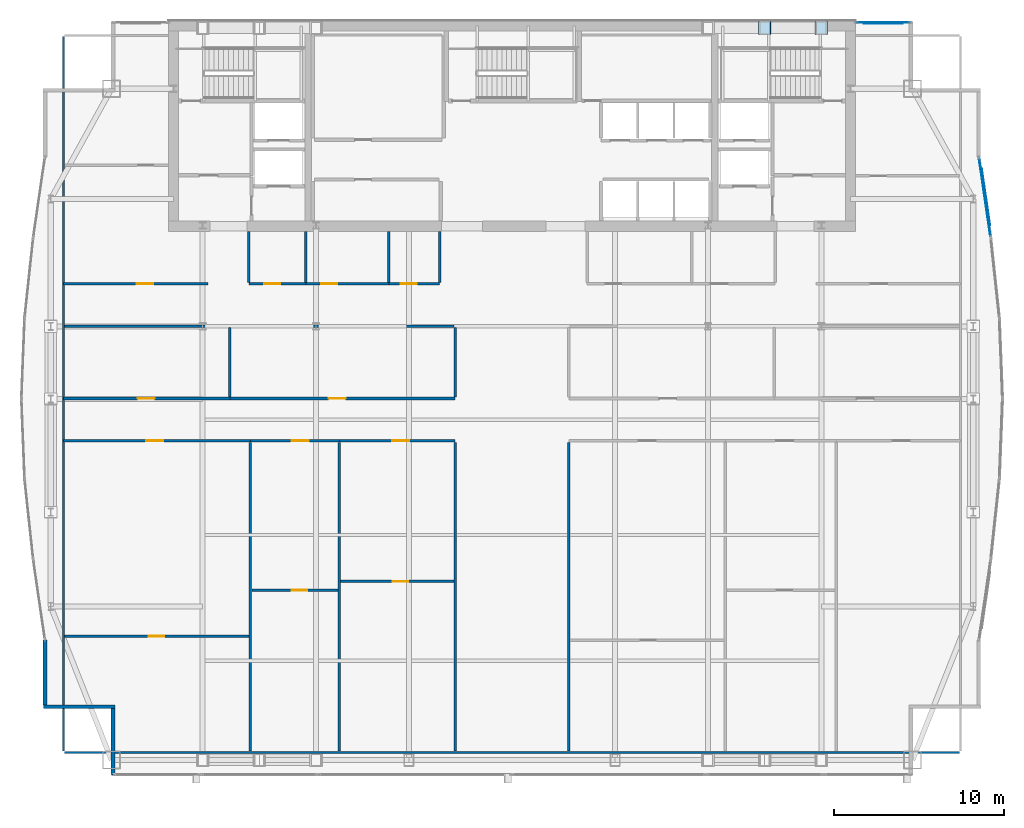
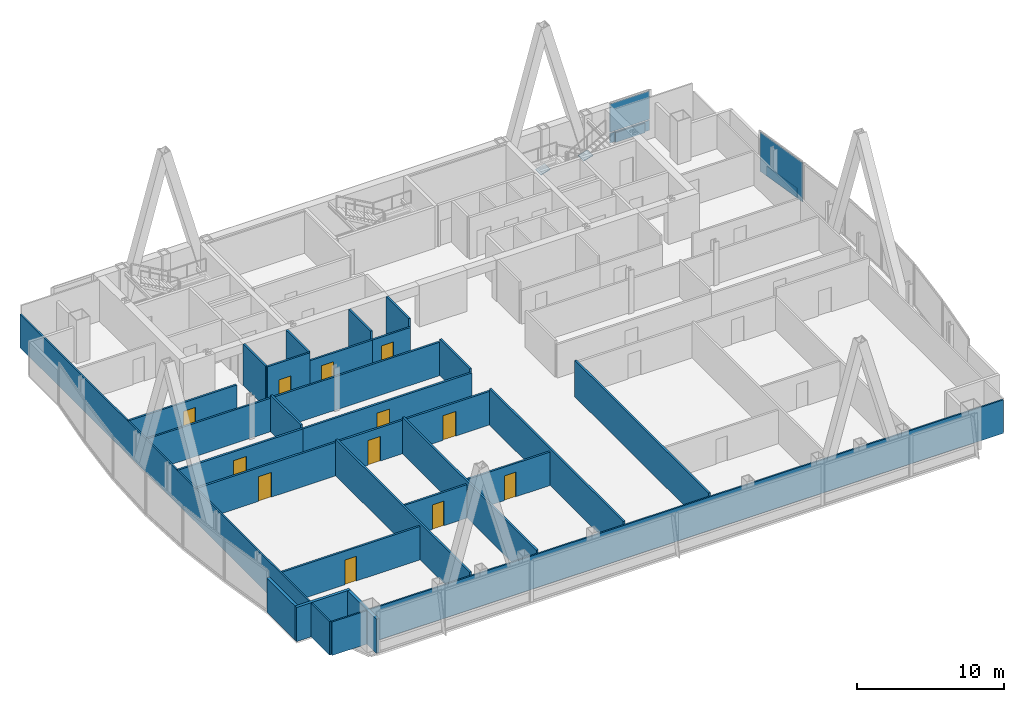
# One storey, part 26 of 31: 28 walls, 12 doors, 7 plates, 12 openings, 2 elements without a shape of their own.
"""IFC4 building model written with IfcOpenShell, lengths in metres."""

from ifc_helpers import new_model, si_unit, direction, frame, frame_2d, origin, origin_2d, place, context, subcontext, project, spatial, polyline, rectangle, outline, extrude, material, layer, layer_set, type_object, element, fill, aggregate, save


model = new_model("IFC4")

# Units and contexts
model_context = context("Model", 3, precision=1e-05, world=origin(), true_north=direction((0.0, 1.0)))
body_context = subcontext(model_context, "Body", "Model", "MODEL_VIEW")
ifc_project = project(units=[si_unit("LENGTHUNIT", "METRE"), si_unit("AREAUNIT", "SQUARE_METRE"), si_unit("VOLUMEUNIT", "CUBIC_METRE"), si_unit("PLANEANGLEUNIT", "RADIAN"), si_unit("MASSUNIT", "GRAM", prefix="KILO")], contexts=[model_context])

# Site, building, storey
site_placement = place(None, origin())
site = spatial("IfcSite", under=ifc_project, at=site_placement, CompositionType="ELEMENT")
building_placement = place(site_placement, origin())
building = spatial("IfcBuilding", under=site, at=building_placement, Name="Khoronbel Lancet Exchange", CompositionType="ELEMENT")
storey_placement = place(building_placement, frame((0.0, 0.0, 249.800048828125)))
storey = spatial("IfcBuildingStorey", under=building, at=storey_placement, Name="L64", CompositionType="ELEMENT", Elevation=249.800048828125)

# Curtain wall, plate
ifc_material_1 = material(Name="Low-E Solar Control Insulating Glass", Category="glass")
curtain_wall_type_1 = type_object("IfcCurtainWallType", Name="CW-3", PredefinedType="NOTDEFINED", material=ifc_material_1)
curtain_wall_1_placement = place(storey_placement, origin())
curtain_wall_1 = element("IfcCurtainWall", 1, at=curtain_wall_1_placement, inside=storey, type_object=curtain_wall_type_1, Name="Unitised curtain wall CW-L64-NEFLK", PredefinedType="NOTDEFINED")
ifc_material_2 = material(Name="Bronze-Anodised Aluminium 6063-T6", Category="aluminium")
ifc_layer_1 = layer(ifc_material_2, 0.050048828125, Name="Bronze-Anodised Aluminium 6063-T6")
ifc_layer_set_1 = layer_set([ifc_layer_1], Name="Bronze-Anodised Aluminium 6063-T6")
plate_type_1 = type_object("IfcPlateType", Name="PLT-CSP1", PredefinedType="SHEET", material=ifc_layer_set_1)
plate_1_placement = place(storey_placement, frame((58.320068359375, 53.550048828125, 0.0498046875), z_axis=(0.0, 0.0, 1.0), x_axis=(-1.0, 0.0, 0.0)))
plate_1 = element("IfcPlate", 2, at=plate_1_placement, type_object=plate_type_1, Name="Insulated bronze spandrel cassette CW-L64-NEFLK", PredefinedType="SHEET", context=body_context, shape_type="SweptSolid", body=[
    extrude(rectangle(XDim=2.2958984375, YDim=0.050048828125, at=origin_2d()), origin(), (0.0, 0.0, 1.0), 0.800048828125),
])

curtain_wall_type_2 = type_object("IfcCurtainWallType", Name="CW-4", PredefinedType="NOTDEFINED", material=ifc_material_1)
curtain_wall_2_placement = place(storey_placement, origin())
curtain_wall_2 = element("IfcCurtainWall", 3, at=curtain_wall_2_placement, inside=storey, type_object=curtain_wall_type_2, Name="Unitised curtain wall CW-L64-E17", PredefinedType="NOTDEFINED")
plate_2_placement = place(storey_placement, frame((64.3671875, 43.32470703125, 0.0498046875), z_axis=(0.0, 0.0, 1.0), x_axis=(0.144753463694, -0.989467753264, 0.0)))
plate_2 = element("IfcPlate", 4, at=plate_2_placement, type_object=plate_type_1, Name="Insulated bronze spandrel cassette CW-L64-E17", PredefinedType="SHEET", context=body_context, shape_type="SweptSolid", body=[
    extrude(rectangle(XDim=3.36376953125, YDim=0.050048828125, at=origin_2d()), origin(), (0.0, 0.0, 1.0), 0.800048828125),
])

# Plate
ifc_layer_2 = layer(ifc_material_1, 0.035888671875, Name="Low-E Solar Control Insulating Glass")
ifc_layer_set_2 = layer_set([ifc_layer_2], Name="Low-E Solar Control Insulating Glass")
plate_type_2 = type_object("IfcPlateType", Name="PLT-CWP1", PredefinedType="CURTAIN_PANEL", material=ifc_layer_set_2)
plate_3_placement = place(storey_placement, frame((58.320068359375, 53.610107421875, 0.0849609375), z_axis=(0.0, 0.0, 1.0), x_axis=(-1.0, 0.0, 0.0)))
plate_3 = element("IfcPlate", 5, at=plate_3_placement, type_object=plate_type_2, Name="CW3 panel 1.1", PredefinedType="CURTAIN_PANEL", context=body_context, shape_type="SweptSolid", body=[
    extrude(rectangle(XDim=3.110107421875, YDim=0.0380859375, at=origin_2d()), origin(), (0.0, 0.0, 1.0), 0.822509765625),
])

plate_4_placement = place(storey_placement, frame((58.320068359375, 53.610107421875, 0.9921875), z_axis=(0.0, 0.0, 1.0), x_axis=(-1.0, 0.0, 0.0)))
plate_4 = element("IfcPlate", 6, at=plate_4_placement, type_object=plate_type_2, Name="CW3 panel 1.2", PredefinedType="CURTAIN_PANEL", context=body_context, shape_type="SweptSolid", body=[
    extrude(rectangle(XDim=3.110107421875, YDim=0.0380859375, at=origin_2d()), origin(), (0.0, 0.0, 1.0), 2.362548828125),
])

aggregate(curtain_wall_1, [plate_3, plate_4, plate_1])

ifc_material_3 = material(Name="Ceramic-Fritted Laminated Insulating Glass", Category="glass")
ifc_layer_3 = layer(ifc_material_3, 0.0419921875, Name="Ceramic-Fritted Laminated Insulating Glass")
ifc_layer_set_3 = layer_set([ifc_layer_3], Name="Ceramic-Fritted Laminated Insulating Glass")
plate_type_3 = type_object("IfcPlateType", Name="PLT-CWP2", PredefinedType="CURTAIN_PANEL", material=ifc_layer_set_3)
plate_5_placement = place(storey_placement, frame((64.307861328125, 43.316162109375, 0.0849609375), z_axis=(0.0, 0.0, 1.0), x_axis=(0.144753463694, -0.989467753264, 0.0)))
plate_5 = element("IfcPlate", 7, at=plate_5_placement, type_object=plate_type_3, Name="CW4 panel 1.1", PredefinedType="CURTAIN_PANEL", context=body_context, shape_type="SweptSolid", body=[
    extrude(rectangle(XDim=4.655517578125, YDim=0.0380859375, at=origin_2d()), origin(), (0.0, 0.0, 1.0), 3.27001953125),
])

aggregate(curtain_wall_2, [plate_5, plate_2])

# Plates
ifc_material_4 = material(Name="Steel S460", Category="steel")
ifc_layer_4 = layer(ifc_material_4, 0.044921875, Name="Steel S460")
ifc_layer_set_4 = layer_set([ifc_layer_4], Name="Steel S460")
plate_type_4 = type_object("IfcPlateType", Name="PLT-ECP1", PredefinedType="USERDEFINED", material=ifc_layer_set_4)
plate_6_placement = place(storey_placement, frame((50.964599609375, 53.659912109375, -0.080810546875), z_axis=(-0.295146364908, 0.0, 0.955452051796), x_axis=(0.0, -1.0, 0.0)))
element("IfcPlate", 8, at=plate_6_placement, inside=storey, type_object=plate_type_4, Name="Hollow end cap plate PLT-CAP-MEM-MB-T21-N-E-R-1", ObjectType="STIFFENER_PLATE", PredefinedType="USERDEFINED", context=body_context, shape_type="SweptSolid", body=[
    extrude(outline(polyline([(0.0, 0.0), (0.760009765625, 0.0), (0.760009765625, 0.76025390625), (0.0, 0.76025390625), (0.0, 0.0)])), origin(), (0.0, 0.0, -1.0), 0.044921875),
])
plate_7_placement = place(storey_placement, frame((54.3056640625, 53.659912109375, -0.09033203125), z_axis=(-0.267925524584, 0.0, 0.963439626171), x_axis=(0.0, -1.0, 0.0)))
element("IfcPlate", 9, at=plate_7_placement, inside=storey, type_object=plate_type_4, Name="Hollow end cap plate PLT-CAP-MEM-MB-T22-N-E-R-0", ObjectType="STIFFENER_PLATE", PredefinedType="USERDEFINED", context=body_context, shape_type="SweptSolid", body=[
    extrude(outline(polyline([(0.0, 0.0), (0.760009765625, 0.0), (0.760009765625, 0.760009765625), (0.0, 0.760009765625), (0.0, 0.0)])), origin(), (0.0, 0.0, -1.0), 0.044921875),
])

# Walls
ifc_material_5 = material(Name="Precast concrete C40/50", Category="concrete")
ifc_layer_5 = layer(ifc_material_5, 0.25, Name="Precast concrete C40/50")
ifc_layer_set_5 = layer_set([ifc_layer_5], Name="Precast concrete C40/50")
wall_type_1 = type_object("IfcWallType", Name="WL-EXT250", PredefinedType="SOLIDWALL", material=ifc_layer_set_5)
wall_1_placement = place(storey_placement, frame((12.93994140625, 9.27001953125, 0.0), z_axis=(0.0, 0.0, 1.0), x_axis=(0.0, 1.0, 0.0)))
element("IfcWall", 10, at=wall_1_placement, inside=storey, type_object=wall_type_1, Name="Level L64 notched-corner limestone pier 01", PredefinedType="SOLIDWALL", context=body_context, shape_type="SweptSolid", body=[
    extrude(rectangle(XDim=3.909912109375, YDim=0.219970703125, at=frame_2d((1.955078125, 0.0))), origin(), (0.0, 0.0, 1.0), 2.829833984375),
])
wall_2_placement = place(storey_placement, frame((13.050048828125, 13.2900390625, 0.0), z_axis=(0.0, 0.0, 1.0), x_axis=(-1.0, 0.0, 0.0)))
element("IfcWall", 11, at=wall_2_placement, inside=storey, type_object=wall_type_1, Name="Level L64 notched-corner limestone pier 02", PredefinedType="SOLIDWALL", context=body_context, shape_type="SweptSolid", body=[
    extrude(rectangle(XDim=4.219970703125, YDim=0.219970703125, at=frame_2d((2.10986328125, 0.0))), origin(), (0.0, 0.0, 1.0), 2.829833984375),
])
wall_3_placement = place(storey_placement, frame((8.93994140625, 13.39990234375, 0.0), z_axis=(0.0, 0.0, 1.0), x_axis=(0.0, 1.0, 0.0)))
element("IfcWall", 12, at=wall_3_placement, inside=storey, type_object=wall_type_1, Name="Level L64 notched-corner limestone pier 03", PredefinedType="SOLIDWALL", context=body_context, shape_type="SweptSolid", body=[
    extrude(rectangle(XDim=3.82666015625, YDim=0.219970703125, at=frame_2d((1.913330078125, 0.0))), origin(), (0.0, 0.0, 1.0), 2.829833984375),
])
ifc_material_6 = material(Name="Acoustic Metal-Stud & Mineral-Wool Gypsum Partition 120 mm", Category="gypsum")
ifc_layer_6 = layer(ifc_material_6, 0.1201171875, Name="Acoustic Metal-Stud & Mineral-Wool Gypsum Partition 120 mm")
ifc_layer_set_6 = layer_set([ifc_layer_6], Name="Acoustic Metal-Stud & Mineral-Wool Gypsum Partition 120 mm")
wall_type_2 = type_object("IfcWallType", Name="WL-PRT120", PredefinedType="PARTITIONING", material=ifc_layer_set_6)
for number, where, z_axis, x_axis, name in (
    (13, (20.949951171875, 38.280029296875, 0.0), (0.0, 0.0, 1.0), (0.0, 1.0, 0.0), "Level L64 interior partition PW-WC-0"),
    (14, (24.300048828125, 38.280029296875, 0.0), (0.0, 0.0, 1.0), (0.0, 1.0, 0.0), "Level L64 interior partition PW-WC-1"),
    (15, (29.199951171875, 38.280029296875, 0.0), (0.0, 0.0, 1.0), (0.0, 1.0, 0.0), "Level L64 interior partition PW-WC-2"),
    (16, (32.179931640625, 38.280029296875, 0.0), (0.0, 0.0, 1.0), (0.0, 1.0, 0.0), "Level L64 interior partition PW-WC-3"),
):
    element("IfcWall", number, at=place(storey_placement, frame(where, z_axis=z_axis, x_axis=x_axis)), inside=storey, type_object=wall_type_2, Name=name, PredefinedType="PARTITIONING", context=body_context, shape_type="SweptSolid", body=[
        extrude(rectangle(XDim=3.02001953125, YDim=0.14990234375, at=frame_2d((1.510009765625, 0.0))), origin(), (0.0, 0.0, 1.0), 3.43994140625),
    ])

# Wall, opening, door
wall_4_placement = place(storey_placement, frame((10.094970703125, 17.447021484375, 0.0), z_axis=(0.0, 0.0, 1.0), x_axis=(1.0, 0.0, 0.0)))
wall_4 = element("IfcWall", 17, at=wall_4_placement, inside=storey, type_object=wall_type_2, Name="Level L64 interior partition PW-Z3SW-H1", PredefinedType="PARTITIONING", context=body_context, shape_type="SweptSolid", body=[
    extrude(rectangle(XDim=10.86083984375, YDim=0.14990234375, at=frame_2d((5.430419921875, 0.0))), origin(), (0.0, 0.0, 1.0), 2.780029296875),
])
opening_1_placement = place(wall_4_placement, frame((4.95263671875, 0.0, 0.0)))
opening_1 = element("IfcOpeningElement", 18, at=opening_1_placement, cuts=wall_4, Name="Opening D5", PredefinedType="OPENING", context=body_context, shape_type="SweptSolid", body=[
    extrude(rectangle(XDim=0.89990234375, YDim=2.050048828125, at=frame_2d((0.449951171875, 1.02490234375))), frame((0.0, 0.0849609375, 0.0), z_axis=(0.0, -1.0, 0.0), x_axis=(1.0, 0.0, 0.0)), (0.0, 0.0, 1.0), 0.169921875),
])
ifc_material_7 = material(Name="Acoustic Timber Pantry & Support Door", Category="wood")
door_type_1 = type_object("IfcDoorType", Name="DR-D5", OperationType="NOTDEFINED", PredefinedType="DOOR", material=ifc_material_7)
door_1_placement = place(opening_1_placement, origin())
door_1 = element("IfcDoor", 19, at=door_1_placement, inside=storey, type_object=door_type_1, Name="Z3SW inner door 1 L64-1", OperationType="SINGLE_SWING_RIGHT", OverallHeight=2.050048828125, OverallWidth=0.89990234375, PredefinedType="DOOR", context=body_context, shape_type="SweptSolid", body=[
    extrude(rectangle(XDim=0.89990234375, YDim=2.050048828125, at=frame_2d((0.449951171875, 1.02490234375))), frame((0.0, 0.02490234375, 0.0), z_axis=(0.0, -1.0, 0.0), x_axis=(1.0, 0.0, 0.0)), (0.0, 0.0, 1.0), 0.050048828125),
])
fill(opening_1, door_1)

wall_5_placement = place(storey_placement, frame((21.115966796875, 20.1455078125, 0.0), z_axis=(0.0, 0.0, 1.0), x_axis=(1.0, 0.0, 0.0)))
wall_5 = element("IfcWall", 20, at=wall_5_placement, inside=storey, type_object=wall_type_2, Name="Level L64 interior partition PW-Z3SW-H2", PredefinedType="PARTITIONING", context=body_context, shape_type="SweptSolid", body=[
    extrude(rectangle(XDim=5.078125, YDim=0.14990234375, at=frame_2d((2.5390625, 0.0))), origin(), (0.0, 0.0, 1.0), 2.780029296875),
])
opening_2_placement = place(wall_5_placement, frame((2.357177734375, 0.0, 0.0)))
opening_2 = element("IfcOpeningElement", 21, at=opening_2_placement, cuts=wall_5, Name="Opening D5", PredefinedType="OPENING", context=body_context, shape_type="SweptSolid", body=[
    extrude(rectangle(XDim=0.89990234375, YDim=2.050048828125, at=frame_2d((0.449951171875, 1.02490234375))), frame((0.0, 0.0849609375, 0.0), z_axis=(0.0, -1.0, 0.0), x_axis=(1.0, 0.0, 0.0)), (0.0, 0.0, 1.0), 0.169921875),
])
door_2_placement = place(opening_2_placement, origin())
door_2 = element("IfcDoor", 22, at=door_2_placement, inside=storey, type_object=door_type_1, Name="Z3SW inner door 2 L64-1", OperationType="SINGLE_SWING_RIGHT", OverallHeight=2.050048828125, OverallWidth=0.89990234375, PredefinedType="DOOR", context=body_context, shape_type="SweptSolid", body=[
    extrude(rectangle(XDim=0.89990234375, YDim=2.050048828125, at=frame_2d((0.449951171875, 1.02490234375))), frame((0.0, 0.02490234375, 0.0), z_axis=(0.0, -1.0, 0.0), x_axis=(1.0, 0.0, 0.0)), (0.0, 0.0, 1.0), 0.050048828125),
])
fill(opening_2, door_2)

wall_6_placement = place(storey_placement, frame((26.354248046875, 20.66650390625, 0.0), z_axis=(0.0, 0.0, 1.0), x_axis=(1.0, 0.0, 0.0)))
wall_6 = element("IfcWall", 23, at=wall_6_placement, inside=storey, type_object=wall_type_2, Name="Level L64 interior partition PW-Z3SW-H3", PredefinedType="PARTITIONING", context=body_context, shape_type="SweptSolid", body=[
    extrude(rectangle(XDim=6.665771484375, YDim=0.14990234375, at=frame_2d((3.3330078125, 0.0))), origin(), (0.0, 0.0, 1.0), 2.780029296875),
])
opening_3_placement = place(wall_6_placement, frame((3.071533203125, 0.0, 0.0)))
opening_3 = element("IfcOpeningElement", 24, at=opening_3_placement, cuts=wall_6, Name="Opening D5", PredefinedType="OPENING", context=body_context, shape_type="SweptSolid", body=[
    extrude(rectangle(XDim=0.89990234375, YDim=2.050048828125, at=frame_2d((0.449951171875, 1.02490234375))), frame((0.0, 0.0849609375, 0.0), z_axis=(0.0, -1.0, 0.0), x_axis=(1.0, 0.0, 0.0)), (0.0, 0.0, 1.0), 0.169921875),
])
door_3_placement = place(opening_3_placement, origin())
door_3 = element("IfcDoor", 25, at=door_3_placement, inside=storey, type_object=door_type_1, Name="Z3SW inner door 3 L64-1", OperationType="SINGLE_SWING_RIGHT", OverallHeight=2.050048828125, OverallWidth=0.89990234375, PredefinedType="DOOR", context=body_context, shape_type="SweptSolid", body=[
    extrude(rectangle(XDim=0.89990234375, YDim=2.050048828125, at=frame_2d((0.449951171875, 1.02490234375))), frame((0.0, 0.02490234375, 0.0), z_axis=(0.0, -1.0, 0.0), x_axis=(1.0, 0.0, 0.0)), (0.0, 0.0, 1.0), 0.050048828125),
])
fill(opening_3, door_3)

# Walls
wall_7_placement = place(storey_placement, frame((10.030029296875, 10.6650390625, 0.0), z_axis=(0.0, 0.0, 1.0), x_axis=(0.0, 1.0, 0.0)))
element("IfcWall", 26, at=wall_7_placement, inside=storey, type_object=wall_type_2, Name="Level L64 interior partition PW-LIN-W", PredefinedType="PARTITIONING", context=body_context, shape_type="SweptSolid", body=[
    extrude(rectangle(XDim=42.10986328125, YDim=0.1201171875, at=frame_2d((21.054931640625, 0.0))), origin(), (0.0, 0.0, 1.0), 2.780029296875),
])
wall_8_placement = place(storey_placement, frame((10.094970703125, 10.60009765625, 0.0), z_axis=(0.0, 0.0, 1.0), x_axis=(1.0, 0.0, 0.0)))
element("IfcWall", 27, at=wall_8_placement, inside=storey, type_object=wall_type_2, Name="Level L64 interior partition PW-LIN-S", PredefinedType="PARTITIONING", context=body_context, shape_type="SweptSolid", body=[
    extrude(rectangle(XDim=52.7099609375, YDim=0.1201171875, at=frame_2d((26.35498046875, 0.0))), origin(), (0.0, 0.0, 1.0), 2.780029296875),
])

# Wall, opening, door
ifc_material_8 = material(Name="Fire-Rated Twin-Stud Acoustic Gypsum Partition 150 mm", Category="gypsum")
ifc_layer_7 = layer(ifc_material_8, 0.14990234375, Name="Fire-Rated Twin-Stud Acoustic Gypsum Partition 150 mm")
ifc_layer_set_7 = layer_set([ifc_layer_7], Name="Fire-Rated Twin-Stud Acoustic Gypsum Partition 150 mm")
wall_type_3 = type_object("IfcWallType", Name="WL-PRT150C", PredefinedType="PARTITIONING", material=ifc_layer_set_7)
wall_9_placement = place(storey_placement, frame((20.949951171875, 38.199951171875, 0.0), z_axis=(0.0, 0.0, 1.0), x_axis=(1.0, 0.0, 0.0)))
wall_9 = element("IfcWall", 28, at=wall_9_placement, inside=storey, type_object=wall_type_3, Name="Level L64 interior partition PW-WC-S1", PredefinedType="PARTITIONING", context=body_context, shape_type="SweptSolid", body=[
    extrude(rectangle(XDim=3.35009765625, YDim=0.14990234375, at=frame_2d((1.675048828125, 0.0))), origin(), (0.0, 0.0, 1.0), 3.43994140625),
])
opening_4_placement = place(wall_9_placement, frame((0.89990234375, 0.0, 0.0)))
opening_4 = element("IfcOpeningElement", 29, at=opening_4_placement, cuts=wall_9, Name="Opening D4", PredefinedType="OPENING", context=body_context, shape_type="SweptSolid", body=[
    extrude(rectangle(XDim=0.949951171875, YDim=2.050048828125, at=frame_2d((0.47509765625, 1.02490234375))), frame((0.0, 0.0849609375, 0.0), z_axis=(0.0, -1.0, 0.0), x_axis=(1.0, 0.0, 0.0)), (0.0, 0.0, 1.0), 0.169921875),
])
ifc_material_9 = material(Name="Moisture-Resistant HPL Washroom Door", Category="wood")
door_type_2 = type_object("IfcDoorType", Name="DR-D4", OperationType="NOTDEFINED", PredefinedType="DOOR", material=ifc_material_9)
door_4_placement = place(opening_4_placement, origin())
door_4 = element("IfcDoor", 30, at=door_4_placement, inside=storey, type_object=door_type_2, Name="Male washroom door L64-1", OperationType="SINGLE_SWING_RIGHT", OverallHeight=2.050048828125, OverallWidth=0.949951171875, PredefinedType="DOOR", context=body_context, shape_type="SweptSolid", body=[
    extrude(rectangle(XDim=0.949951171875, YDim=2.050048828125, at=frame_2d((0.47509765625, 1.02490234375))), frame((0.0, 0.02490234375, 0.0), z_axis=(0.0, -1.0, 0.0), x_axis=(1.0, 0.0, 0.0)), (0.0, 0.0, 1.0), 0.050048828125),
])
fill(opening_4, door_4)

wall_10_placement = place(storey_placement, frame((24.300048828125, 38.199951171875, 0.0), z_axis=(0.0, 0.0, 1.0), x_axis=(1.0, 0.0, 0.0)))
wall_10 = element("IfcWall", 31, at=wall_10_placement, inside=storey, type_object=wall_type_3, Name="Level L64 interior partition PW-WC-S2", PredefinedType="PARTITIONING", context=body_context, shape_type="SweptSolid", body=[
    extrude(rectangle(XDim=4.89990234375, YDim=0.14990234375, at=frame_2d((2.449951171875, 0.0))), origin(), (0.0, 0.0, 1.0), 2.780029296875),
])
opening_5_placement = place(wall_10_placement, frame((0.89990234375, 0.0, 0.0)))
opening_5 = element("IfcOpeningElement", 32, at=opening_5_placement, cuts=wall_10, Name="Opening D4", PredefinedType="OPENING", context=body_context, shape_type="SweptSolid", body=[
    extrude(rectangle(XDim=0.949951171875, YDim=2.050048828125, at=frame_2d((0.47509765625, 1.02490234375))), frame((0.0, 0.0849609375, 0.0), z_axis=(0.0, -1.0, 0.0), x_axis=(1.0, 0.0, 0.0)), (0.0, 0.0, 1.0), 0.169921875),
])
door_5_placement = place(opening_5_placement, origin())
door_5 = element("IfcDoor", 33, at=door_5_placement, inside=storey, type_object=door_type_2, Name="Female washroom door L64-1", OperationType="SINGLE_SWING_LEFT", OverallHeight=2.050048828125, OverallWidth=0.949951171875, PredefinedType="DOOR", context=body_context, shape_type="SweptSolid", body=[
    extrude(rectangle(XDim=0.949951171875, YDim=2.050048828125, at=frame_2d((0.47509765625, 1.02490234375))), frame((0.0, 0.02490234375, 0.0), z_axis=(0.0, -1.0, 0.0), x_axis=(1.0, 0.0, 0.0)), (0.0, 0.0, 1.0), 0.050048828125),
])
fill(opening_5, door_5)

wall_11_placement = place(storey_placement, frame((29.199951171875, 38.199951171875, 0.0), z_axis=(0.0, 0.0, 1.0), x_axis=(1.0, 0.0, 0.0)))
wall_11 = element("IfcWall", 34, at=wall_11_placement, inside=storey, type_object=wall_type_3, Name="Level L64 interior partition PW-WC-S3", PredefinedType="PARTITIONING", context=body_context, shape_type="SweptSolid", body=[
    extrude(rectangle(XDim=2.97998046875, YDim=0.14990234375, at=frame_2d((1.489990234375, 0.0))), origin(), (0.0, 0.0, 1.0), 2.780029296875),
])
opening_6_placement = place(wall_11_placement, frame((0.699951171875, 0.0, 0.0)))
opening_6 = element("IfcOpeningElement", 35, at=opening_6_placement, cuts=wall_11, Name="Opening D4", PredefinedType="OPENING", context=body_context, shape_type="SweptSolid", body=[
    extrude(rectangle(XDim=0.949951171875, YDim=2.050048828125, at=frame_2d((0.47509765625, 1.02490234375))), frame((0.0, 0.0849609375, 0.0), z_axis=(0.0, -1.0, 0.0), x_axis=(1.0, 0.0, 0.0)), (0.0, 0.0, 1.0), 0.169921875),
])
door_6_placement = place(opening_6_placement, origin())
door_6 = element("IfcDoor", 36, at=door_6_placement, inside=storey, type_object=door_type_2, Name="Accessible WC door L64-1", OperationType="SINGLE_SWING_RIGHT", OverallHeight=2.050048828125, OverallWidth=0.949951171875, PredefinedType="DOOR", context=body_context, shape_type="SweptSolid", body=[
    extrude(rectangle(XDim=0.949951171875, YDim=2.050048828125, at=frame_2d((0.47509765625, 1.02490234375))), frame((0.0, 0.02490234375, 0.0), z_axis=(0.0, -1.0, 0.0), x_axis=(1.0, 0.0, 0.0)), (0.0, 0.0, 1.0), 0.050048828125),
])
fill(opening_6, door_6)

wall_12_placement = place(storey_placement, frame((10.030029296875, 38.199951171875, 0.0), z_axis=(0.0, 0.0, 1.0), x_axis=(1.0, 0.0, 0.0)))
wall_12 = element("IfcWall", 37, at=wall_12_placement, inside=storey, type_object=wall_type_3, Name="Level L64 interior partition PW-NW-S", PredefinedType="PARTITIONING", context=body_context, shape_type="SweptSolid", body=[
    extrude(rectangle(XDim=8.52001953125, YDim=0.14990234375, at=frame_2d((4.260009765625, 0.0))), origin(), (0.0, 0.0, 1.0), 2.780029296875),
])
opening_7_placement = place(wall_12_placement, frame((4.320068359375, 0.0, 0.0)))
opening_7 = element("IfcOpeningElement", 38, at=opening_7_placement, cuts=wall_12, Name="Opening D1", PredefinedType="OPENING", context=body_context, shape_type="SweptSolid", body=[
    extrude(rectangle(XDim=0.949951171875, YDim=2.050048828125, at=frame_2d((0.47509765625, 1.02490234375))), frame((0.0, 0.0849609375, 0.0), z_axis=(0.0, -1.0, 0.0), x_axis=(1.0, 0.0, 0.0)), (0.0, 0.0, 1.0), 0.169921875),
])
ifc_material_10 = material(Name="Acoustic Veneered Timber & Bronze Frame Door", Category="wood")
door_type_3 = type_object("IfcDoorType", Name="DR-D1", OperationType="NOTDEFINED", PredefinedType="DOOR", material=ifc_material_10)
door_7_placement = place(opening_7_placement, origin())
door_7 = element("IfcDoor", 39, at=door_7_placement, inside=storey, type_object=door_type_3, Name="NW corner room door L64-1", OperationType="SINGLE_SWING_LEFT", OverallHeight=2.050048828125, OverallWidth=0.949951171875, PredefinedType="DOOR", context=body_context, shape_type="SweptSolid", body=[
    extrude(rectangle(XDim=0.949951171875, YDim=2.050048828125, at=frame_2d((0.47509765625, 1.02490234375))), frame((0.0, 0.02490234375, 0.0), z_axis=(0.0, -1.0, 0.0), x_axis=(1.0, 0.0, 0.0)), (0.0, 0.0, 1.0), 0.050048828125),
])
fill(opening_7, door_7)

# Walls
for number, where, z_axis, x_axis, name in (
    (40, (33.10009765625, 10.6650390625, 0.0), (0.0, 0.0, 1.0), (0.0, 1.0, 0.0), "Level L64 interior partition PW-Z3-CW1"),
    (41, (39.800048828125, 10.6650390625, 0.0), (0.0, 0.0, 1.0), (0.0, 1.0, 0.0), "Level L64 interior partition PW-Z3-CE1"),
):
    element("IfcWall", number, at=place(storey_placement, frame(where, z_axis=z_axis, x_axis=x_axis)), inside=storey, type_object=wall_type_3, Name=name, PredefinedType="PARTITIONING", context=body_context, shape_type="SweptSolid", body=[
        extrude(rectangle(XDim=18.199951171875, YDim=0.14990234375, at=frame_2d((9.10009765625, 0.0))), origin(), (0.0, 0.0, 1.0), 3.030029296875),
    ])
wall_13_placement = place(storey_placement, frame((33.10009765625, 31.534912109375, 0.0), z_axis=(0.0, 0.0, 1.0), x_axis=(0.0, 1.0, 0.0)))
element("IfcWall", 42, at=wall_13_placement, inside=storey, type_object=wall_type_3, Name="Level L64 interior partition PW-Z3-CW2", PredefinedType="PARTITIONING", context=body_context, shape_type="SweptSolid", body=[
    extrude(rectangle(XDim=4.085205078125, YDim=0.14990234375, at=frame_2d((2.04248046875, 0.0))), origin(), (0.0, 0.0, 1.0), 3.030029296875),
])
wall_14_placement = place(storey_placement, frame((10.094970703125, 35.699951171875, 0.0), z_axis=(0.0, 0.0, 1.0), x_axis=(1.0, 0.0, 0.0)))
element("IfcWall", 43, at=wall_14_placement, inside=storey, type_object=wall_type_3, Name="Level L64 interior partition PW-Z3-WN", PredefinedType="PARTITIONING", context=body_context, shape_type="SweptSolid", body=[
    extrude(rectangle(XDim=22.925048828125, YDim=0.14990234375, at=frame_2d((11.46240234375, 0.0))), origin(), (0.0, 0.0, 1.0), 2.780029296875),
])
for number, where, z_axis, x_axis, name in (
    (44, (21.035888671875, 10.6650390625, 0.0), (0.0, 0.0, 1.0), (0.0, 1.0, 0.0), "Level L64 interior partition PW-Z3SW-V1"),
    (45, (26.274169921875, 10.6650390625, 0.0), (0.0, 0.0, 1.0), (0.0, 1.0, 0.0), "Level L64 interior partition PW-Z3SW-V2"),
):
    element("IfcWall", number, at=place(storey_placement, frame(where, z_axis=z_axis, x_axis=x_axis)), inside=storey, type_object=wall_type_3, Name=name, PredefinedType="PARTITIONING", context=body_context, shape_type="SweptSolid", body=[
        extrude(rectangle(XDim=18.199951171875, YDim=0.14990234375, at=frame_2d((9.10009765625, 0.0))), origin(), (0.0, 0.0, 1.0), 3.030029296875),
    ])
wall_15_placement = place(storey_placement, frame((19.819580078125, 31.534912109375, 0.0), z_axis=(0.0, 0.0, 1.0), x_axis=(0.0, 1.0, 0.0)))
element("IfcWall", 46, at=wall_15_placement, inside=storey, type_object=wall_type_3, Name="Level L64 interior partition PW-Z3NW-V1", PredefinedType="PARTITIONING", context=body_context, shape_type="SweptSolid", body=[
    extrude(rectangle(XDim=4.085205078125, YDim=0.14990234375, at=frame_2d((2.04248046875, 0.0))), origin(), (0.0, 0.0, 1.0), 3.030029296875),
])

# Wall, opening, door
ifc_material_11 = material(Name="Fire-Rated Twin-Stud Acoustic Gypsum Partition 160 mm", Category="gypsum")
ifc_layer_8 = layer(ifc_material_11, 0.159912109375, Name="Fire-Rated Twin-Stud Acoustic Gypsum Partition 160 mm")
ifc_layer_set_8 = layer_set([ifc_layer_8], Name="Fire-Rated Twin-Stud Acoustic Gypsum Partition 160 mm")
wall_type_4 = type_object("IfcWallType", Name="WL-PRT160C", PredefinedType="PARTITIONING", material=ifc_layer_set_8)
wall_16_placement = place(storey_placement, frame((10.030029296875, 28.949951171875, 0.0), z_axis=(0.0, 0.0, 1.0), x_axis=(1.0, 0.0, 0.0)))
wall_16 = element("IfcWall", 47, at=wall_16_placement, inside=storey, type_object=wall_type_4, Name="Level L64 interior partition PW-Z3SW-COR1", PredefinedType="PARTITIONING", context=body_context, shape_type="SweptSolid", body=[
    extrude(rectangle(XDim=11.005859375, YDim=0.159912109375, at=frame_2d((5.5029296875, 0.0))), origin(), (0.0, 0.0, 1.0), 2.780029296875),
])
opening_8_placement = place(wall_16_placement, frame((4.87255859375, 0.0, 0.0)))
opening_8 = element("IfcOpeningElement", 48, at=opening_8_placement, cuts=wall_16, Name="Opening D2", PredefinedType="OPENING", context=body_context, shape_type="SweptSolid", body=[
    extrude(rectangle(XDim=1.0, YDim=2.050048828125, at=frame_2d((0.5, 1.02490234375))), frame((0.0, 0.08984375, 0.0), z_axis=(0.0, -1.0, 0.0), x_axis=(1.0, 0.0, 0.0)), (0.0, 0.0, 1.0), 0.179931640625),
])
door_type_4 = type_object("IfcDoorType", Name="DR-D2", OperationType="NOTDEFINED", PredefinedType="DOOR", material=ifc_material_10)
door_8_placement = place(opening_8_placement, origin())
door_8 = element("IfcDoor", 49, at=door_8_placement, inside=storey, type_object=door_type_4, Name="Z3SW bay 1 door L64-1", OperationType="SINGLE_SWING_LEFT", OverallHeight=2.050048828125, OverallWidth=1.0, PredefinedType="DOOR", context=body_context, shape_type="SweptSolid", body=[
    extrude(rectangle(XDim=1.0, YDim=2.050048828125, at=frame_2d((0.5, 1.02490234375))), frame((0.0, 0.02490234375, 0.0), z_axis=(0.0, -1.0, 0.0), x_axis=(1.0, 0.0, 0.0)), (0.0, 0.0, 1.0), 0.050048828125),
])
fill(opening_8, door_8)

wall_17_placement = place(storey_placement, frame((21.035888671875, 28.949951171875, 0.0), z_axis=(0.0, 0.0, 1.0), x_axis=(1.0, 0.0, 0.0)))
wall_17 = element("IfcWall", 50, at=wall_17_placement, inside=storey, type_object=wall_type_4, Name="Level L64 interior partition PW-Z3SW-COR2", PredefinedType="PARTITIONING", context=body_context, shape_type="SweptSolid", body=[
    extrude(rectangle(XDim=5.23828125, YDim=0.159912109375, at=frame_2d((2.619140625, 0.0))), origin(), (0.0, 0.0, 1.0), 2.780029296875),
])
opening_9_placement = place(wall_17_placement, frame((2.4501953125, 0.0, 0.0)))
opening_9 = element("IfcOpeningElement", 51, at=opening_9_placement, cuts=wall_17, Name="Opening D2", PredefinedType="OPENING", context=body_context, shape_type="SweptSolid", body=[
    extrude(rectangle(XDim=1.0, YDim=2.050048828125, at=frame_2d((0.5, 1.02490234375))), frame((0.0, 0.08984375, 0.0), z_axis=(0.0, -1.0, 0.0), x_axis=(1.0, 0.0, 0.0)), (0.0, 0.0, 1.0), 0.179931640625),
])
door_9_placement = place(opening_9_placement, origin())
door_9 = element("IfcDoor", 52, at=door_9_placement, inside=storey, type_object=door_type_4, Name="Z3SW bay 2 door L64-1", OperationType="SINGLE_SWING_LEFT", OverallHeight=2.050048828125, OverallWidth=1.0, PredefinedType="DOOR", context=body_context, shape_type="SweptSolid", body=[
    extrude(rectangle(XDim=1.0, YDim=2.050048828125, at=frame_2d((0.5, 1.02490234375))), frame((0.0, 0.02490234375, 0.0), z_axis=(0.0, -1.0, 0.0), x_axis=(1.0, 0.0, 0.0)), (0.0, 0.0, 1.0), 0.050048828125),
])
fill(opening_9, door_9)

wall_18_placement = place(storey_placement, frame((26.274169921875, 28.949951171875, 0.0), z_axis=(0.0, 0.0, 1.0), x_axis=(1.0, 0.0, 0.0)))
wall_18 = element("IfcWall", 53, at=wall_18_placement, inside=storey, type_object=wall_type_4, Name="Level L64 interior partition PW-Z3SW-COR3", PredefinedType="PARTITIONING", context=body_context, shape_type="SweptSolid", body=[
    extrude(rectangle(XDim=6.825927734375, YDim=0.159912109375, at=frame_2d((3.4130859375, 0.0))), origin(), (0.0, 0.0, 1.0), 2.780029296875),
])
opening_10_placement = place(wall_18_placement, frame((3.11669921875, 0.0, 0.0)))
opening_10 = element("IfcOpeningElement", 54, at=opening_10_placement, cuts=wall_18, Name="Opening D2", PredefinedType="OPENING", context=body_context, shape_type="SweptSolid", body=[
    extrude(rectangle(XDim=1.0, YDim=2.050048828125, at=frame_2d((0.5, 1.02490234375))), frame((0.0, 0.08984375, 0.0), z_axis=(0.0, -1.0, 0.0), x_axis=(1.0, 0.0, 0.0)), (0.0, 0.0, 1.0), 0.179931640625),
])
door_10_placement = place(opening_10_placement, origin())
door_10 = element("IfcDoor", 55, at=door_10_placement, inside=storey, type_object=door_type_4, Name="Z3SW bay 3 door L64-1", OperationType="SINGLE_SWING_LEFT", OverallHeight=2.050048828125, OverallWidth=1.0, PredefinedType="DOOR", context=body_context, shape_type="SweptSolid", body=[
    extrude(rectangle(XDim=1.0, YDim=2.050048828125, at=frame_2d((0.5, 1.02490234375))), frame((0.0, 0.02490234375, 0.0), z_axis=(0.0, -1.0, 0.0), x_axis=(1.0, 0.0, 0.0)), (0.0, 0.0, 1.0), 0.050048828125),
])
fill(opening_10, door_10)

wall_19_placement = place(storey_placement, frame((10.030029296875, 31.449951171875, 0.0), z_axis=(0.0, 0.0, 1.0), x_axis=(1.0, 0.0, 0.0)))
wall_19 = element("IfcWall", 56, at=wall_19_placement, inside=storey, type_object=wall_type_4, Name="Level L64 interior partition PW-Z3NW-COR1", PredefinedType="PARTITIONING", context=body_context, shape_type="SweptSolid", body=[
    extrude(rectangle(XDim=9.78955078125, YDim=0.159912109375, at=frame_2d((4.894775390625, 0.0))), origin(), (0.0, 0.0, 1.0), 2.780029296875),
])
opening_11_placement = place(wall_19_placement, frame((4.361572265625, 0.0, 0.0)))
opening_11 = element("IfcOpeningElement", 57, at=opening_11_placement, cuts=wall_19, Name="Opening D2", PredefinedType="OPENING", context=body_context, shape_type="SweptSolid", body=[
    extrude(rectangle(XDim=1.0, YDim=2.050048828125, at=frame_2d((0.5, 1.02490234375))), frame((0.0, 0.08984375, 0.0), z_axis=(0.0, -1.0, 0.0), x_axis=(1.0, 0.0, 0.0)), (0.0, 0.0, 1.0), 0.179931640625),
])
door_11_placement = place(opening_11_placement, origin())
door_11 = element("IfcDoor", 58, at=door_11_placement, inside=storey, type_object=door_type_4, Name="Z3NW bay 1 door L64-1", OperationType="SINGLE_SWING_RIGHT", OverallHeight=2.050048828125, OverallWidth=1.0, PredefinedType="DOOR", context=body_context, shape_type="SweptSolid", body=[
    extrude(rectangle(XDim=1.0, YDim=2.050048828125, at=frame_2d((0.5, 1.02490234375))), frame((0.0, 0.02490234375, 0.0), z_axis=(0.0, -1.0, 0.0), x_axis=(1.0, 0.0, 0.0)), (0.0, 0.0, 1.0), 0.050048828125),
])
fill(opening_11, door_11)

wall_20_placement = place(storey_placement, frame((19.819580078125, 31.449951171875, 0.0), z_axis=(0.0, 0.0, 1.0), x_axis=(1.0, 0.0, 0.0)))
wall_20 = element("IfcWall", 59, at=wall_20_placement, inside=storey, type_object=wall_type_4, Name="Level L64 interior partition PW-Z3NW-COR2", PredefinedType="PARTITIONING", context=body_context, shape_type="SweptSolid", body=[
    extrude(rectangle(XDim=13.280517578125, YDim=0.159912109375, at=frame_2d((6.64013671875, 0.0))), origin(), (0.0, 0.0, 1.0), 2.780029296875),
])
opening_12_placement = place(wall_20_placement, frame((5.827880859375, 0.0, 0.0)))
opening_12 = element("IfcOpeningElement", 60, at=opening_12_placement, cuts=wall_20, Name="Opening D2", PredefinedType="OPENING", context=body_context, shape_type="SweptSolid", body=[
    extrude(rectangle(XDim=1.0, YDim=2.050048828125, at=frame_2d((0.5, 1.02490234375))), frame((0.0, 0.08984375, 0.0), z_axis=(0.0, -1.0, 0.0), x_axis=(1.0, 0.0, 0.0)), (0.0, 0.0, 1.0), 0.179931640625),
])
door_12_placement = place(opening_12_placement, origin())
door_12 = element("IfcDoor", 61, at=door_12_placement, inside=storey, type_object=door_type_4, Name="Z3NW bay 2 door L64-1", OperationType="SINGLE_SWING_LEFT", OverallHeight=2.050048828125, OverallWidth=1.0, PredefinedType="DOOR", context=body_context, shape_type="SweptSolid", body=[
    extrude(rectangle(XDim=1.0, YDim=2.050048828125, at=frame_2d((0.5, 1.02490234375))), frame((0.0, 0.02490234375, 0.0), z_axis=(0.0, -1.0, 0.0), x_axis=(1.0, 0.0, 0.0)), (0.0, 0.0, 1.0), 0.050048828125),
])
fill(opening_12, door_12)

save(model, "model.ifc")
